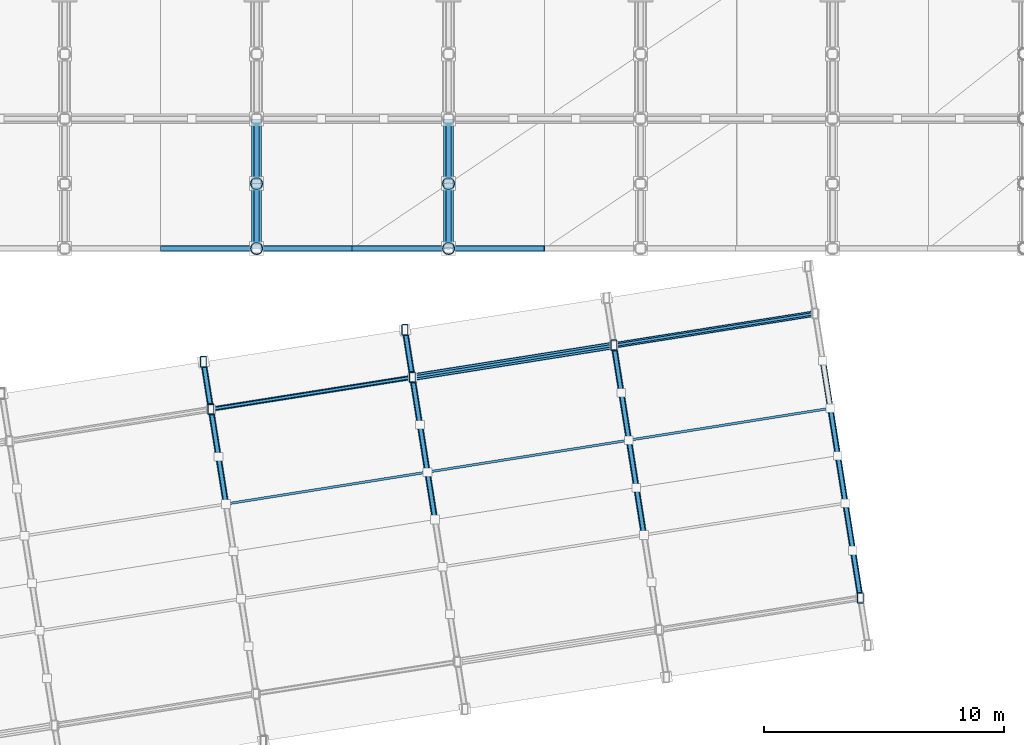
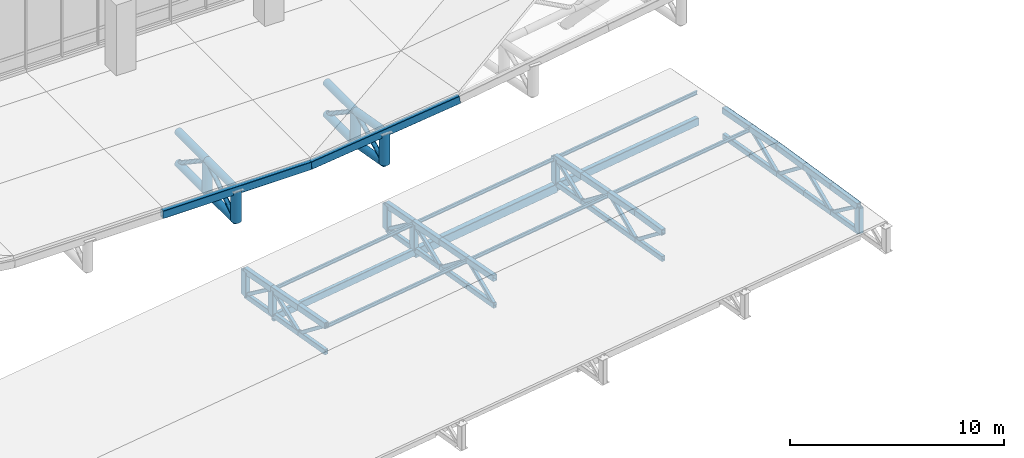
# One storey, part 22 of 137: 75 members, 5 beams.
"""IFC4 building model written with IfcOpenShell, lengths in metres."""

from ifc_helpers import new_model, si_unit, direction, frame, origin, origin_2d, place, context, subcontext, project, spatial, hollow_rectangle, hollow_circle, i_section, extrude, material, material_profile, profile_set, type_object, element, save


model = new_model("IFC4")

# Units and contexts
model_context = context("Model", 3, precision=1e-05, world=origin(), true_north=direction((0.0, 1.0)))
body_context = subcontext(model_context, "Body", "Model", "MODEL_VIEW")
ifc_project = project(units=[si_unit("LENGTHUNIT", "METRE"), si_unit("AREAUNIT", "SQUARE_METRE"), si_unit("VOLUMEUNIT", "CUBIC_METRE"), si_unit("PLANEANGLEUNIT", "RADIAN"), si_unit("MASSUNIT", "GRAM", prefix="KILO")], contexts=[model_context])

# Site, building, storey
site_placement = place(None, origin())
site = spatial("IfcSite", under=ifc_project, at=site_placement, CompositionType="ELEMENT")
building_placement = place(site_placement, origin())
building = spatial("IfcBuilding", under=site, at=building_placement, Name="Khorjan Park Terminus", CompositionType="ELEMENT")
storey_placement = place(building_placement, frame((0.0, 0.0, 11.4)))
storey = spatial("IfcBuildingStorey", under=building, at=storey_placement, Name="L02", CompositionType="ELEMENT", Elevation=11.4)

# Members
ifc_material = material(Name="Steel S355", Category="steel")
ifc_material_profile_1 = material_profile(ifc_material, hollow_rectangle(XDim=0.18, YDim=0.18, WallThickness=0.01, InnerFilletRadius=0.01, OuterFilletRadius=0.02, at=origin_2d()), Name="SHS 180x180x10")
ifc_profile_set_1 = profile_set([ifc_material_profile_1], Name="Steel S355")
member_type_1 = type_object("IfcMemberType", Name="MB-BR-SHS180E", PredefinedType="BRACE", material=ifc_profile_set_1)
member_1_placement = place(storey_placement, frame((94.7253, 4.55, -0.48), z_axis=(-0.124562373336, 0.786347254878, -0.605096859928), x_axis=(-0.987685001707, -0.156455544492, 0.0)))
element("IfcMember", 1, at=member_1_placement, inside=storey, type_object=member_type_1, Name="Arrival canopy flat truss web brace TB-S18 (6)", PredefinedType="BRACE", context=body_context, shape_type="SweptSolid", body=[
    extrude(hollow_rectangle(XDim=0.18, YDim=0.18, WallThickness=0.01, InnerFilletRadius=0.01, OuterFilletRadius=0.02, at=origin_2d()), origin(), (0.0, 0.0, 1.0), 2.512),
])
for number, where, z_axis, x_axis, name in (
    (2, (94.4124, 6.5253, -2.0), (-0.126963381588, 0.801545107028, 0.584299359178), (-0.987686225577, -0.156447818155, 0.0), "Arrival canopy flat truss web brace TB-S18 (6)"),
    (3, (94.0995, 8.5007, -0.56), (-0.126923459014, 0.801549235728, -0.584302368861), (-0.987693950393, -0.156399042059, 0.0), "Arrival canopy flat truss web brace TB-S18 (6)"),
):
    element("IfcMember", number, at=place(storey_placement, frame(where, z_axis=z_axis, x_axis=x_axis)), inside=storey, type_object=member_type_1, Name=name, PredefinedType="BRACE", context=body_context, shape_type="SweptSolid", body=[
        extrude(hollow_rectangle(XDim=0.18, YDim=0.18, WallThickness=0.01, InnerFilletRadius=0.01, OuterFilletRadius=0.02, at=origin_2d()), origin(), (0.0, 0.0, 1.0), 2.4645),
    ])
member_2_placement = place(storey_placement, frame((103.4335, 3.9043, -2.0), z_axis=(-0.124558474158, 0.786362447589, 0.605077918566), x_axis=(-0.987686225577, -0.156447818155, 0.0)))
element("IfcMember", 4, at=member_2_placement, inside=storey, type_object=member_type_1, Name="Arrival canopy flat truss web brace TB-S18 (7)", PredefinedType="BRACE", context=body_context, shape_type="SweptSolid", body=[
    extrude(hollow_rectangle(XDim=0.18, YDim=0.18, WallThickness=0.01, InnerFilletRadius=0.01, OuterFilletRadius=0.02, at=origin_2d()), origin(), (0.0, 0.0, 1.0), 2.5121),
])
member_3_placement = place(storey_placement, frame((103.1206, 5.8797, -0.48), z_axis=(-0.124523181709, 0.786351153547, -0.605099859967), x_axis=(-0.987692727277, -0.156406766108, 0.0)))
element("IfcMember", 5, at=member_3_placement, inside=storey, type_object=member_type_1, Name="Arrival canopy flat truss web brace TB-S18 (7)", PredefinedType="BRACE", context=body_context, shape_type="SweptSolid", body=[
    extrude(hollow_rectangle(XDim=0.18, YDim=0.18, WallThickness=0.01, InnerFilletRadius=0.01, OuterFilletRadius=0.02, at=origin_2d()), origin(), (0.0, 0.0, 1.0), 2.512),
])
for number, where, z_axis, x_axis, name in (
    (6, (102.8078, 7.855, -2.0), (-0.126963381588, 0.801545107028, 0.584299359178), (-0.987686225577, -0.156447818155, 0.0), "Arrival canopy flat truss web brace TB-S18 (7)"),
    (7, (102.4949, 9.8304, -0.56), (-0.126963381588, 0.801545107028, -0.584299359178), (-0.987686225577, -0.156447818155, 0.0), "Arrival canopy flat truss web brace TB-S18 (7)"),
):
    element("IfcMember", number, at=place(storey_placement, frame(where, z_axis=z_axis, x_axis=x_axis)), inside=storey, type_object=member_type_1, Name=name, PredefinedType="BRACE", context=body_context, shape_type="SweptSolid", body=[
        extrude(hollow_rectangle(XDim=0.18, YDim=0.18, WallThickness=0.01, InnerFilletRadius=0.01, OuterFilletRadius=0.02, at=origin_2d()), origin(), (0.0, 0.0, 1.0), 2.4645),
    ])
for number, where, z_axis, x_axis, name in (
    (8, (112.1417, 3.2586, -0.48), (-0.124558474158, 0.786362447589, -0.605077918566), (-0.987686225577, -0.156447818155, 0.0), "Arrival canopy flat truss web brace TB-S18 (8)"),
    (9, (111.8288, 5.234, -2.0), (-0.124519283718, 0.78636634609, 0.605080918324), (-0.987693950393, -0.156399042059, 0.0), "Arrival canopy flat truss web brace TB-S18 (8)"),
):
    element("IfcMember", number, at=place(storey_placement, frame(where, z_axis=z_axis, x_axis=x_axis)), inside=storey, type_object=member_type_1, Name=name, PredefinedType="BRACE", context=body_context, shape_type="SweptSolid", body=[
        extrude(hollow_rectangle(XDim=0.18, YDim=0.18, WallThickness=0.01, InnerFilletRadius=0.01, OuterFilletRadius=0.02, at=origin_2d()), origin(), (0.0, 0.0, 1.0), 2.5121),
    ])
member_4_placement = place(storey_placement, frame((111.516, 7.2094, -0.48), z_axis=(-0.124562373336, 0.786347254878, -0.605096859928), x_axis=(-0.987685001707, -0.156455544492, 0.0)))
element("IfcMember", 10, at=member_4_placement, inside=storey, type_object=member_type_1, Name="Arrival canopy flat truss web brace TB-S18 (8)", PredefinedType="BRACE", context=body_context, shape_type="SweptSolid", body=[
    extrude(hollow_rectangle(XDim=0.18, YDim=0.18, WallThickness=0.01, InnerFilletRadius=0.01, OuterFilletRadius=0.02, at=origin_2d()), origin(), (0.0, 0.0, 1.0), 2.512),
])
for number, where, z_axis, x_axis, name in (
    (11, (111.2031, 9.1847, -2.0), (-0.126963381588, 0.801545107028, 0.584299359178), (-0.987686225577, -0.156447818155, 0.0), "Arrival canopy flat truss web brace TB-S18 (8)"),
    (12, (121.1628, 0.6375, -0.56), (-0.126963381588, 0.801545107028, -0.584299359178), (-0.987686225577, -0.156447818155, 0.0), "Arrival canopy flat truss web brace TB-S18 (9)"),
):
    element("IfcMember", number, at=place(storey_placement, frame(where, z_axis=z_axis, x_axis=x_axis)), inside=storey, type_object=member_type_1, Name=name, PredefinedType="BRACE", context=body_context, shape_type="SweptSolid", body=[
        extrude(hollow_rectangle(XDim=0.18, YDim=0.18, WallThickness=0.01, InnerFilletRadius=0.01, OuterFilletRadius=0.02, at=origin_2d()), origin(), (0.0, 0.0, 1.0), 2.4645),
    ])
for number, where, z_axis, x_axis, name in (
    (13, (120.8499, 2.6129, -2.0), (-0.124519283718, 0.78636634609, 0.605080918324), (-0.987693950393, -0.156399042059, 0.0), "Arrival canopy flat truss web brace TB-S18 (9)"),
    (14, (120.5371, 4.5883, -0.48), (-0.124558474158, 0.786362447589, -0.605077918566), (-0.987686225577, -0.156447818155, 0.0), "Arrival canopy flat truss web brace TB-S18 (9)"),
    (15, (120.2242, 6.5637, -2.0), (-0.124558474158, 0.786362447589, 0.605077918566), (-0.987686225577, -0.156447818155, 0.0), "Arrival canopy flat truss web brace TB-S18 (9)"),
):
    element("IfcMember", number, at=place(storey_placement, frame(where, z_axis=z_axis, x_axis=x_axis)), inside=storey, type_object=member_type_1, Name=name, PredefinedType="BRACE", context=body_context, shape_type="SweptSolid", body=[
        extrude(hollow_rectangle(XDim=0.18, YDim=0.18, WallThickness=0.01, InnerFilletRadius=0.01, OuterFilletRadius=0.02, at=origin_2d()), origin(), (0.0, 0.0, 1.0), 2.5121),
    ])
ifc_material_profile_2 = material_profile(ifc_material, hollow_circle(Radius=0.1222, WallThickness=0.0125, at=origin_2d()), Name="CHS 244.5x12.5")
ifc_profile_set_2 = profile_set([ifc_material_profile_2], Name="Steel S355")
member_type_2 = type_object("IfcMemberType", Name="MB-BRE-245", PredefinedType="BRACE", material=ifc_profile_set_2)
for number, where, z_axis, x_axis, name in (
    (16, (96.0, 15.2, -1.408), (0.0, 0.832050294338, 0.554700196225), (-1.0, 0.0, 0.0), "Lower shell cantilever truss diagonal (7S)"),
    (17, (96.0, 17.9, 0.392), (0.0, 0.832050294338, -0.554700196225), (-1.0, 0.0, 0.0), "Lower shell cantilever truss diagonal (7S)"),
):
    element("IfcMember", number, at=place(storey_placement, frame(where, z_axis=z_axis, x_axis=x_axis)), inside=storey, type_object=member_type_2, Name=name, PredefinedType="BRACE", context=body_context, shape_type="SweptSolid", body=[
        extrude(hollow_circle(Radius=0.1222, WallThickness=0.0125, at=origin_2d()), origin(), (0.0, 0.0, 1.0), 3.245),
    ])
member_5_placement = place(storey_placement, frame((104.0, 15.2, -0.9272), z_axis=(0.0, 0.898489379818, 0.438995255502), x_axis=(-1.0, 0.0, 0.0)))
element("IfcMember", 18, at=member_5_placement, inside=storey, type_object=member_type_2, Name="Lower shell cantilever truss diagonal (8S)", PredefinedType="BRACE", context=body_context, shape_type="SweptSolid", body=[
    extrude(hollow_circle(Radius=0.1222, WallThickness=0.0125, at=origin_2d()), origin(), (0.0, 0.0, 1.0), 3.005),
])
member_6_placement = place(storey_placement, frame((104.0, 17.9, 0.392), z_axis=(0.0, 0.832050294338, -0.554700196225), x_axis=(-1.0, 0.0, 0.0)))
element("IfcMember", 19, at=member_6_placement, inside=storey, type_object=member_type_2, Name="Lower shell cantilever truss diagonal (8S)", PredefinedType="BRACE", context=body_context, shape_type="SweptSolid", body=[
    extrude(hollow_circle(Radius=0.1222, WallThickness=0.0125, at=origin_2d()), origin(), (0.0, 0.0, 1.0), 3.245),
])
ifc_material_profile_3 = material_profile(ifc_material, hollow_rectangle(XDim=0.2, YDim=0.3, WallThickness=0.0125, InnerFilletRadius=0.0125, OuterFilletRadius=0.025, at=origin_2d()), Name="RHS 300x200x12.5")
ifc_profile_set_3 = profile_set([ifc_material_profile_3], Name="Steel S355")
member_type_3 = type_object("IfcMemberType", Name="MB-CH-RHS300E", PredefinedType="CHORD", material=ifc_profile_set_3)
member_7_placement = place(storey_placement, frame((94.7253, 4.55, -2.0), z_axis=(-0.156455544492, 0.987685001707, 0.0), x_axis=(-0.987685001707, -0.156455544492, 0.0)))
element("IfcMember", 20, at=member_7_placement, inside=storey, type_object=member_type_3, Name="Arrival canopy flat truss bottom chord TC-R30 (6)", PredefinedType="CHORD", context=body_context, shape_type="SweptSolid", body=[
    extrude(hollow_rectangle(XDim=0.2, YDim=0.3, WallThickness=0.0125, InnerFilletRadius=0.0125, OuterFilletRadius=0.025, at=origin_2d()), origin(), (0.0, 0.0, 1.0), 1.9999),
])
for number, where, z_axis, x_axis, name in (
    (21, (94.4124, 6.5253, -2.0), (-0.156447818155, 0.987686225577, 0.0), (-0.987686225577, -0.156447818155, 0.0), "Arrival canopy flat truss bottom chord TC-R30 (6)"),
    (22, (94.0995, 8.5007, -2.0), (-0.156399042059, 0.987693950393, 0.0), (-0.987693950393, -0.156399042059, 0.0), "Arrival canopy flat truss bottom chord TC-R30 (6)"),
    (23, (103.4335, 3.9043, -2.0), (-0.156447818155, 0.987686225577, 0.0), (-0.987686225577, -0.156447818155, 0.0), "Arrival canopy flat truss bottom chord TC-R30 (7)"),
):
    element("IfcMember", number, at=place(storey_placement, frame(where, z_axis=z_axis, x_axis=x_axis)), inside=storey, type_object=member_type_3, Name=name, PredefinedType="CHORD", context=body_context, shape_type="SweptSolid", body=[
        extrude(hollow_rectangle(XDim=0.2, YDim=0.3, WallThickness=0.0125, InnerFilletRadius=0.0125, OuterFilletRadius=0.025, at=origin_2d()), origin(), (0.0, 0.0, 1.0), 2.0),
    ])
member_8_placement = place(storey_placement, frame((103.1206, 5.8797, -2.0), z_axis=(-0.156406766108, 0.987692727277, 0.0), x_axis=(-0.987692727277, -0.156406766108, 0.0)))
element("IfcMember", 24, at=member_8_placement, inside=storey, type_object=member_type_3, Name="Arrival canopy flat truss bottom chord TC-R30 (7)", PredefinedType="CHORD", context=body_context, shape_type="SweptSolid", body=[
    extrude(hollow_rectangle(XDim=0.2, YDim=0.3, WallThickness=0.0125, InnerFilletRadius=0.0125, OuterFilletRadius=0.025, at=origin_2d()), origin(), (0.0, 0.0, 1.0), 1.9999),
])
for number, where, z_axis, x_axis, name in (
    (25, (102.8078, 7.855, -2.0), (-0.156447818155, 0.987686225577, 0.0), (-0.987686225577, -0.156447818155, 0.0), "Arrival canopy flat truss bottom chord TC-R30 (7)"),
    (26, (102.4949, 9.8304, -2.0), (-0.156447818155, 0.987686225577, 0.0), (-0.987686225577, -0.156447818155, 0.0), "Arrival canopy flat truss bottom chord TC-R30 (7)"),
    (27, (112.1417, 3.2586, -2.0), (-0.156447818155, 0.987686225577, 0.0), (-0.987686225577, -0.156447818155, 0.0), "Arrival canopy flat truss bottom chord TC-R30 (8)"),
    (28, (111.8288, 5.234, -2.0), (-0.156399042059, 0.987693950393, 0.0), (-0.987693950393, -0.156399042059, 0.0), "Arrival canopy flat truss bottom chord TC-R30 (8)"),
):
    element("IfcMember", number, at=place(storey_placement, frame(where, z_axis=z_axis, x_axis=x_axis)), inside=storey, type_object=member_type_3, Name=name, PredefinedType="CHORD", context=body_context, shape_type="SweptSolid", body=[
        extrude(hollow_rectangle(XDim=0.2, YDim=0.3, WallThickness=0.0125, InnerFilletRadius=0.0125, OuterFilletRadius=0.025, at=origin_2d()), origin(), (0.0, 0.0, 1.0), 2.0),
    ])
member_9_placement = place(storey_placement, frame((111.516, 7.2094, -2.0), z_axis=(-0.156455544492, 0.987685001707, 0.0), x_axis=(-0.987685001707, -0.156455544492, 0.0)))
element("IfcMember", 29, at=member_9_placement, inside=storey, type_object=member_type_3, Name="Arrival canopy flat truss bottom chord TC-R30 (8)", PredefinedType="CHORD", context=body_context, shape_type="SweptSolid", body=[
    extrude(hollow_rectangle(XDim=0.2, YDim=0.3, WallThickness=0.0125, InnerFilletRadius=0.0125, OuterFilletRadius=0.025, at=origin_2d()), origin(), (0.0, 0.0, 1.0), 1.9999),
])
for number, where, z_axis, x_axis, name in (
    (30, (111.2031, 9.1847, -2.0), (-0.156447818155, 0.987686225577, 0.0), (-0.987686225577, -0.156447818155, 0.0), "Arrival canopy flat truss bottom chord TC-R30 (8)"),
    (31, (121.1628, 0.6375, -2.0), (-0.156447818155, 0.987686225577, 0.0), (-0.987686225577, -0.156447818155, 0.0), "Arrival canopy flat truss bottom chord TC-R30 (9)"),
    (32, (120.8499, 2.6129, -2.0), (-0.156399042059, 0.987693950393, 0.0), (-0.987693950393, -0.156399042059, 0.0), "Arrival canopy flat truss bottom chord TC-R30 (9)"),
    (33, (120.5371, 4.5883, -2.0), (-0.156447818155, 0.987686225577, 0.0), (-0.987686225577, -0.156447818155, 0.0), "Arrival canopy flat truss bottom chord TC-R30 (9)"),
    (34, (120.2242, 6.5637, -2.0), (-0.156447818155, 0.987686225577, 0.0), (-0.987686225577, -0.156447818155, 0.0), "Arrival canopy flat truss bottom chord TC-R30 (9)"),
):
    element("IfcMember", number, at=place(storey_placement, frame(where, z_axis=z_axis, x_axis=x_axis)), inside=storey, type_object=member_type_3, Name=name, PredefinedType="CHORD", context=body_context, shape_type="SweptSolid", body=[
        extrude(hollow_rectangle(XDim=0.2, YDim=0.3, WallThickness=0.0125, InnerFilletRadius=0.0125, OuterFilletRadius=0.025, at=origin_2d()), origin(), (0.0, 0.0, 1.0), 2.0),
    ])
member_10_placement = place(storey_placement, frame((119.9113, 8.5391, -2.0), z_axis=(-0.156406766108, 0.987692727277, 0.0), x_axis=(-0.987692727277, -0.156406766108, 0.0)))
element("IfcMember", 35, at=member_10_placement, inside=storey, type_object=member_type_3, Name="Arrival canopy flat truss bottom chord TC-R30 (9)", PredefinedType="CHORD", context=body_context, shape_type="SweptSolid", body=[
    extrude(hollow_rectangle(XDim=0.2, YDim=0.3, WallThickness=0.0125, InnerFilletRadius=0.0125, OuterFilletRadius=0.025, at=origin_2d()), origin(), (0.0, 0.0, 1.0), 1.9999),
])
ifc_material_profile_4 = material_profile(ifc_material, hollow_rectangle(XDim=0.25, YDim=0.35, WallThickness=0.0125, InnerFilletRadius=0.0125, OuterFilletRadius=0.025, at=origin_2d()), Name="RHS 350x250x12.5")
ifc_profile_set_4 = profile_set([ifc_material_profile_4], Name="Steel S355")
member_type_4 = type_object("IfcMemberType", Name="MB-CH-RHS350E", PredefinedType="CHORD", material=ifc_profile_set_4)
member_11_placement = place(storey_placement, frame((94.7253, 4.55, -0.48), z_axis=(-0.15642426055, 0.987487509955, -0.019996709562), x_axis=(-0.987685001707, -0.156455544492, 0.0)))
element("IfcMember", 36, at=member_11_placement, inside=storey, type_object=member_type_4, Name="Arrival canopy flat truss top chord TC-R35 (6)", PredefinedType="CHORD", context=body_context, shape_type="SweptSolid", body=[
    extrude(hollow_rectangle(XDim=0.25, YDim=0.35, WallThickness=0.0125, InnerFilletRadius=0.0125, OuterFilletRadius=0.025, at=origin_2d()), origin(), (0.0, 0.0, 1.0), 2.0003),
])
for number, where, z_axis, x_axis, name in (
    (37, (94.4124, 6.5253, -0.52), (-0.156416538847, 0.98748875308, -0.019995722448), (-0.987686225577, -0.156447818155, 0.0), "Arrival canopy flat truss top chord TC-R35 (6)"),
    (38, (94.0995, 8.5007, -0.56), (-0.156367772014, 0.987496473263, -0.019995878774), (-0.987693950393, -0.156399042059, 0.0), "Arrival canopy flat truss top chord TC-R35 (6)"),
    (39, (103.4335, 3.9043, -0.44), (-0.156416538847, 0.98748875308, -0.019995722448), (-0.987686225577, -0.156447818155, 0.0), "Arrival canopy flat truss top chord TC-R35 (7)"),
):
    element("IfcMember", number, at=place(storey_placement, frame(where, z_axis=z_axis, x_axis=x_axis)), inside=storey, type_object=member_type_4, Name=name, PredefinedType="CHORD", context=body_context, shape_type="SweptSolid", body=[
        extrude(hollow_rectangle(XDim=0.25, YDim=0.35, WallThickness=0.0125, InnerFilletRadius=0.0125, OuterFilletRadius=0.025, at=origin_2d()), origin(), (0.0, 0.0, 1.0), 2.0004),
    ])
member_12_placement = place(storey_placement, frame((103.1206, 5.8797, -0.48), z_axis=(-0.156375491431, 0.987495230892, -0.019996865912), x_axis=(-0.987692727277, -0.156406766108, 0.0)))
element("IfcMember", 40, at=member_12_placement, inside=storey, type_object=member_type_4, Name="Arrival canopy flat truss top chord TC-R35 (7)", PredefinedType="CHORD", context=body_context, shape_type="SweptSolid", body=[
    extrude(hollow_rectangle(XDim=0.25, YDim=0.35, WallThickness=0.0125, InnerFilletRadius=0.0125, OuterFilletRadius=0.025, at=origin_2d()), origin(), (0.0, 0.0, 1.0), 2.0003),
])
for number, where, z_axis, x_axis, name in (
    (41, (102.8078, 7.855, -0.52), (-0.156416538847, 0.98748875308, -0.019995722448), (-0.987686225577, -0.156447818155, 0.0), "Arrival canopy flat truss top chord TC-R35 (7)"),
    (42, (102.4949, 9.8304, -0.56), (-0.156416538847, 0.98748875308, -0.019995722448), (-0.987686225577, -0.156447818155, 0.0), "Arrival canopy flat truss top chord TC-R35 (7)"),
    (43, (112.1417, 3.2586, -0.48), (-0.156416538847, 0.98748875308, 0.019995722448), (-0.987686225577, -0.156447818155, 0.0), "Arrival canopy flat truss top chord TC-R35 (8)"),
    (44, (111.8288, 5.234, -0.44), (-0.156367772014, 0.987496473263, -0.019995878774), (-0.987693950393, -0.156399042059, 0.0), "Arrival canopy flat truss top chord TC-R35 (8)"),
):
    element("IfcMember", number, at=place(storey_placement, frame(where, z_axis=z_axis, x_axis=x_axis)), inside=storey, type_object=member_type_4, Name=name, PredefinedType="CHORD", context=body_context, shape_type="SweptSolid", body=[
        extrude(hollow_rectangle(XDim=0.25, YDim=0.35, WallThickness=0.0125, InnerFilletRadius=0.0125, OuterFilletRadius=0.025, at=origin_2d()), origin(), (0.0, 0.0, 1.0), 2.0004),
    ])
member_13_placement = place(storey_placement, frame((111.516, 7.2094, -0.48), z_axis=(-0.15642426055, 0.987487509955, -0.019996709562), x_axis=(-0.987685001707, -0.156455544492, 0.0)))
element("IfcMember", 45, at=member_13_placement, inside=storey, type_object=member_type_4, Name="Arrival canopy flat truss top chord TC-R35 (8)", PredefinedType="CHORD", context=body_context, shape_type="SweptSolid", body=[
    extrude(hollow_rectangle(XDim=0.25, YDim=0.35, WallThickness=0.0125, InnerFilletRadius=0.0125, OuterFilletRadius=0.025, at=origin_2d()), origin(), (0.0, 0.0, 1.0), 2.0003),
])
for number, where, z_axis, x_axis, name in (
    (46, (111.2031, 9.1847, -0.52), (-0.156416538847, 0.98748875308, -0.019995722448), (-0.987686225577, -0.156447818155, 0.0), "Arrival canopy flat truss top chord TC-R35 (8)"),
    (47, (121.1628, 0.6375, -0.56), (-0.156416538847, 0.98748875308, 0.019995722448), (-0.987686225577, -0.156447818155, 0.0), "Arrival canopy flat truss top chord TC-R35 (9)"),
    (48, (120.8499, 2.6129, -0.52), (-0.156367772014, 0.987496473263, 0.019995878774), (-0.987693950393, -0.156399042059, 0.0), "Arrival canopy flat truss top chord TC-R35 (9)"),
    (49, (120.5371, 4.5883, -0.48), (-0.156416538847, 0.98748875308, 0.019995722448), (-0.987686225577, -0.156447818155, 0.0), "Arrival canopy flat truss top chord TC-R35 (9)"),
    (50, (120.2242, 6.5637, -0.44), (-0.156416538847, 0.98748875308, -0.019995722448), (-0.987686225577, -0.156447818155, 0.0), "Arrival canopy flat truss top chord TC-R35 (9)"),
):
    element("IfcMember", number, at=place(storey_placement, frame(where, z_axis=z_axis, x_axis=x_axis)), inside=storey, type_object=member_type_4, Name=name, PredefinedType="CHORD", context=body_context, shape_type="SweptSolid", body=[
        extrude(hollow_rectangle(XDim=0.25, YDim=0.35, WallThickness=0.0125, InnerFilletRadius=0.0125, OuterFilletRadius=0.025, at=origin_2d()), origin(), (0.0, 0.0, 1.0), 2.0004),
    ])
member_14_placement = place(storey_placement, frame((119.9113, 8.5391, -0.48), z_axis=(-0.156375491431, 0.987495230892, -0.019996865912), x_axis=(-0.987692727277, -0.156406766108, 0.0)))
element("IfcMember", 51, at=member_14_placement, inside=storey, type_object=member_type_4, Name="Arrival canopy flat truss top chord TC-R35 (9)", PredefinedType="CHORD", context=body_context, shape_type="SweptSolid", body=[
    extrude(hollow_rectangle(XDim=0.25, YDim=0.35, WallThickness=0.0125, InnerFilletRadius=0.0125, OuterFilletRadius=0.025, at=origin_2d()), origin(), (0.0, 0.0, 1.0), 2.0003),
])
ifc_material_profile_5 = material_profile(ifc_material, hollow_circle(Radius=0.2032, WallThickness=0.016, at=origin_2d()), Name="CHS 406.4x16")
ifc_profile_set_5 = profile_set([ifc_material_profile_5], Name="Steel S355")
member_type_5 = type_object("IfcMemberType", Name="MB-CHE-406", PredefinedType="CHORD", material=ifc_profile_set_5)
for number, where, z_axis, x_axis, name in (
    (52, (96.0, 15.2, 0.392), (0.0, 1.0, 0.0), (-1.0, 0.0, 0.0), "Lower shell cantilever truss top chord (7S)"),
    (53, (96.0, 15.2, -1.408), (0.0, 1.0, 0.0), (-1.0, 0.0, 0.0), "Lower shell cantilever truss bottom chord (7S)"),
    (54, (96.0, 17.9, 0.392), (0.0, 1.0, 0.0), (-1.0, 0.0, 0.0), "Lower shell cantilever truss top chord (7S)"),
    (55, (96.0, 17.9, -1.408), (0.0, 1.0, 0.0), (-1.0, 0.0, 0.0), "Lower shell cantilever truss bottom chord (7S)"),
):
    element("IfcMember", number, at=place(storey_placement, frame(where, z_axis=z_axis, x_axis=x_axis)), inside=storey, type_object=member_type_5, Name=name, PredefinedType="CHORD", context=body_context, shape_type="SweptSolid", body=[
        extrude(hollow_circle(Radius=0.2032, WallThickness=0.016, at=origin_2d()), origin(), (0.0, 0.0, 1.0), 2.7),
    ])
for number, where, z_axis, x_axis, name in (
    (56, (104.0, 15.2, 0.8728), (0.0, 0.98451219689, -0.175316097876), (-1.0, 0.0, 0.0), "Lower shell cantilever truss top chord (8S)"),
    (57, (104.0, 15.2, -0.9272), (0.0, 0.98451219689, -0.175316097876), (-1.0, 0.0, 0.0), "Lower shell cantilever truss bottom chord (8S)"),
):
    element("IfcMember", number, at=place(storey_placement, frame(where, z_axis=z_axis, x_axis=x_axis)), inside=storey, type_object=member_type_5, Name=name, PredefinedType="CHORD", context=body_context, shape_type="SweptSolid", body=[
        extrude(hollow_circle(Radius=0.2032, WallThickness=0.016, at=origin_2d()), origin(), (0.0, 0.0, 1.0), 2.7425),
    ])
for number, where, z_axis, x_axis, name in (
    (58, (104.0, 17.9, 0.392), (0.0, 1.0, 0.0), (-1.0, 0.0, 0.0), "Lower shell cantilever truss top chord (8S)"),
    (59, (104.0, 17.9, -1.408), (0.0, 1.0, 0.0), (-1.0, 0.0, 0.0), "Lower shell cantilever truss bottom chord (8S)"),
):
    element("IfcMember", number, at=place(storey_placement, frame(where, z_axis=z_axis, x_axis=x_axis)), inside=storey, type_object=member_type_5, Name=name, PredefinedType="CHORD", context=body_context, shape_type="SweptSolid", body=[
        extrude(hollow_circle(Radius=0.2032, WallThickness=0.016, at=origin_2d()), origin(), (0.0, 0.0, 1.0), 2.7),
    ])
ifc_material_profile_6 = material_profile(ifc_material, i_section(OverallWidth=0.1, OverallDepth=0.2, WebThickness=0.0056, FlangeThickness=0.0085, FilletRadius=0.012, at=origin_2d()), Name="IPE 200")
ifc_profile_set_6 = profile_set([ifc_material_profile_6], Name="Steel S355")
member_type_6 = type_object("IfcMemberType", Name="MB-PRE-IPE200", PredefinedType="PURLIN", material=ifc_profile_set_6)
for number, where, z_axis, x_axis, name in (
    (60, (94.7253, 4.55, -0.53), (0.987688065964, 0.156436198982, 0.0), (-0.156436198982, 0.987688065964, 0.0), "Arrival canopy roof purlin PRE-20 (6)"),
    (61, (94.0995, 8.5007, -0.61), (0.98768835387, 0.156434381226, 0.0), (-0.156434381226, 0.98768835387, 0.0), "Arrival canopy roof purlin PRE-20 (6)"),
    (62, (103.1206, 5.8797, -0.53), (0.98768835387, 0.156434381226, 0.0), (-0.156434381226, 0.98768835387, 0.0), "Arrival canopy roof purlin PRE-20 (7)"),
    (63, (102.4949, 9.8304, -0.61), (0.987688065964, 0.156436198982, 0.0), (-0.156436198982, 0.987688065964, 0.0), "Arrival canopy roof purlin PRE-20 (7)"),
    (64, (111.516, 7.2094, -0.53), (0.987688065964, 0.156436198982, 0.0), (-0.156436198982, 0.987688065964, 0.0), "Arrival canopy roof purlin PRE-20 (8)"),
    (65, (110.8902, 11.1601, -0.61), (0.98768835387, 0.156434381226, 0.0), (-0.156434381226, 0.98768835387, 0.0), "Arrival canopy roof purlin PRE-20 (8)"),
):
    element("IfcMember", number, at=place(storey_placement, frame(where, z_axis=z_axis, x_axis=x_axis)), inside=storey, type_object=member_type_6, Name=name, PredefinedType="PURLIN", context=body_context, shape_type="SweptSolid", body=[
        extrude(i_section(OverallWidth=0.1, OverallDepth=0.2, WebThickness=0.0056, FlangeThickness=0.0085, FilletRadius=0.012, at=origin_2d()), origin(), (0.0, 0.0, 1.0), 8.5),
    ])
ifc_material_profile_7 = material_profile(ifc_material, hollow_circle(Radius=0.254, WallThickness=0.02, at=origin_2d()), Name="CHS 508x20")
ifc_profile_set_7 = profile_set([ifc_material_profile_7], Name="Steel S355")
member_type_7 = type_object("IfcMemberType", Name="MB-STE-508", PredefinedType="STRUT", material=ifc_profile_set_7)
for number, where, z_axis, x_axis, name in (
    (66, (96.0, 15.2, -1.408), (0.0, 0.0, 1.0), (1.0, 0.0, 0.0), "Lower shell cantilever truss post (7S)"),
    (67, (96.0, 17.9, -1.408), (0.0, 0.0, 1.0), (1.0, 0.0, 0.0), "Lower shell cantilever truss post (7S)"),
    (68, (104.0, 15.2, -0.9272), (0.0, 0.0, 1.0), (1.0, 0.0, 0.0), "Lower shell cantilever truss post (8S)"),
    (69, (104.0, 17.9, -1.408), (0.0, 0.0, 1.0), (1.0, 0.0, 0.0), "Lower shell cantilever truss post (8S)"),
):
    element("IfcMember", number, at=place(storey_placement, frame(where, z_axis=z_axis, x_axis=x_axis)), inside=storey, type_object=member_type_7, Name=name, PredefinedType="STRUT", context=body_context, shape_type="SweptSolid", body=[
        extrude(hollow_circle(Radius=0.254, WallThickness=0.02, at=origin_2d()), origin(), (0.0, 0.0, 1.0), 1.8),
    ])
ifc_material_profile_8 = material_profile(ifc_material, hollow_rectangle(XDim=0.25, YDim=0.45, WallThickness=0.016, InnerFilletRadius=0.016, OuterFilletRadius=0.032, at=origin_2d()), Name="RHS 450x250x16")
ifc_profile_set_8 = profile_set([ifc_material_profile_8], Name="Steel S355")
member_type_8 = type_object("IfcMemberType", Name="MB-STE-RHS250", PredefinedType="STRUT", material=ifc_profile_set_8)
member_15_placement = place(storey_placement, frame((94.0995, 8.5007, -2.0), z_axis=(0.0, 0.0, 1.0), x_axis=(1.0, 0.0, 0.0)))
element("IfcMember", 70, at=member_15_placement, inside=storey, type_object=member_type_8, Name="Arrival canopy truss post STE-R25 (6CN)", PredefinedType="STRUT", context=body_context, shape_type="SweptSolid", body=[
    extrude(hollow_rectangle(XDim=0.25, YDim=0.45, WallThickness=0.016, InnerFilletRadius=0.016, OuterFilletRadius=0.032, at=origin_2d()), origin(), (0.0, 0.0, 1.0), 1.44),
])
member_16_placement = place(storey_placement, frame((93.7867, 10.4761, -2.0), z_axis=(0.0, 0.0, 1.0), x_axis=(1.0, 0.0, 0.0)))
element("IfcMember", 71, at=member_16_placement, inside=storey, type_object=member_type_8, Name="Arrival canopy truss post STE-R25 (6N)", PredefinedType="STRUT", context=body_context, shape_type="SweptSolid", body=[
    extrude(hollow_rectangle(XDim=0.25, YDim=0.45, WallThickness=0.016, InnerFilletRadius=0.016, OuterFilletRadius=0.032, at=origin_2d()), origin(), (0.0, 0.0, 1.0), 1.4),
])
member_17_placement = place(storey_placement, frame((102.4949, 9.8304, -2.0), z_axis=(0.0, 0.0, 1.0), x_axis=(1.0, 0.0, 0.0)))
element("IfcMember", 72, at=member_17_placement, inside=storey, type_object=member_type_8, Name="Arrival canopy truss post STE-R25 (7CN)", PredefinedType="STRUT", context=body_context, shape_type="SweptSolid", body=[
    extrude(hollow_rectangle(XDim=0.25, YDim=0.45, WallThickness=0.016, InnerFilletRadius=0.016, OuterFilletRadius=0.032, at=origin_2d()), origin(), (0.0, 0.0, 1.0), 1.44),
])
member_18_placement = place(storey_placement, frame((102.182, 11.8058, -2.0), z_axis=(0.0, 0.0, 1.0), x_axis=(1.0, 0.0, 0.0)))
element("IfcMember", 73, at=member_18_placement, inside=storey, type_object=member_type_8, Name="Arrival canopy truss post STE-R25 (7N)", PredefinedType="STRUT", context=body_context, shape_type="SweptSolid", body=[
    extrude(hollow_rectangle(XDim=0.25, YDim=0.45, WallThickness=0.016, InnerFilletRadius=0.016, OuterFilletRadius=0.032, at=origin_2d()), origin(), (0.0, 0.0, 1.0), 1.4),
])
for number, where, z_axis, x_axis, name in (
    (74, (110.8902, 11.1601, -2.0), (0.0, 0.0, 1.0), (1.0, 0.0, 0.0), "Arrival canopy truss post STE-R25 (8CN)"),
    (75, (121.1628, 0.6375, -2.0), (0.0, 0.0, 1.0), (1.0, 0.0, 0.0), "Arrival canopy truss post STE-R25 (9CS)"),
):
    element("IfcMember", number, at=place(storey_placement, frame(where, z_axis=z_axis, x_axis=x_axis)), inside=storey, type_object=member_type_8, Name=name, PredefinedType="STRUT", context=body_context, shape_type="SweptSolid", body=[
        extrude(hollow_rectangle(XDim=0.25, YDim=0.45, WallThickness=0.016, InnerFilletRadius=0.016, OuterFilletRadius=0.032, at=origin_2d()), origin(), (0.0, 0.0, 1.0), 1.44),
    ])

# Beams
ifc_material_profile_9 = material_profile(ifc_material, hollow_rectangle(XDim=0.2, YDim=0.4, WallThickness=0.0125, InnerFilletRadius=0.0125, OuterFilletRadius=0.025, at=origin_2d()), Name="RHS 400x200x12.5")
ifc_profile_set_9 = profile_set([ifc_material_profile_9], Name="Steel S355")
beam_type_1 = type_object("IfcBeamType", Name="SP-RHS400", PredefinedType="SPANDREL", material=ifc_profile_set_9)
beam_1_placement = place(storey_placement, frame((94.0995, 8.5007, -2.2), z_axis=(0.98768835387, 0.156434381226, 0.0), x_axis=(-0.156434381226, 0.98768835387, 0.0)))
element("IfcBeam", 76, at=beam_1_placement, inside=storey, type_object=beam_type_1, Name="Arrival canopy tie beam SP-R40 (N6)", PredefinedType="SPANDREL", context=body_context, shape_type="SweptSolid", body=[
    extrude(hollow_rectangle(XDim=0.2, YDim=0.4, WallThickness=0.0125, InnerFilletRadius=0.0125, OuterFilletRadius=0.025, at=origin_2d()), origin(), (0.0, 0.0, 1.0), 8.5),
])
ifc_material_profile_10 = material_profile(ifc_material, hollow_rectangle(XDim=0.25, YDim=0.45, WallThickness=0.016, InnerFilletRadius=0.016, OuterFilletRadius=0.032, at=origin_2d()), Name="RHS 450x250x16")
ifc_profile_set_10 = profile_set([ifc_material_profile_10], Name="Steel S355")
beam_type_2 = type_object("IfcBeamType", Name="SP-RHS450", PredefinedType="SPANDREL", material=ifc_profile_set_10)
beam_2_placement = place(storey_placement, frame((92.0, 15.2, 0.37), z_axis=(1.0, 0.0, 0.0), x_axis=(0.0, 1.0, 0.0)))
element("IfcBeam", 77, at=beam_2_placement, inside=storey, type_object=beam_type_2, Name="Lower wrapping shell upturned edge beam SP-R45 (9)", PredefinedType="SPANDREL", context=body_context, shape_type="SweptSolid", body=[
    extrude(hollow_rectangle(XDim=0.25, YDim=0.45, WallThickness=0.016, InnerFilletRadius=0.016, OuterFilletRadius=0.032, at=origin_2d()), origin(), (0.0, 0.0, 1.0), 8.0),
])
beam_3_placement = place(storey_placement, frame((100.0, 15.2, 0.37), z_axis=(0.992853328969, 0.0, 0.119340970142), x_axis=(0.0, 1.0, 0.0)))
element("IfcBeam", 78, at=beam_3_placement, inside=storey, type_object=beam_type_2, Name="Lower wrapping shell upturned edge beam SP-R45 (10)", PredefinedType="SPANDREL", context=body_context, shape_type="SweptSolid", body=[
    extrude(hollow_rectangle(XDim=0.25, YDim=0.45, WallThickness=0.016, InnerFilletRadius=0.016, OuterFilletRadius=0.032, at=origin_2d()), origin(), (0.0, 0.0, 1.0), 8.0576),
])
beam_4_placement = place(storey_placement, frame((110.8902, 11.1601, -2.225), z_axis=(0.98768835387, 0.156434381226, 0.0), x_axis=(-0.156434381226, 0.98768835387, 0.0)))
element("IfcBeam", 79, at=beam_4_placement, inside=storey, type_object=beam_type_2, Name="Arrival canopy tie beam SP-R45 (N8)", PredefinedType="SPANDREL", context=body_context, shape_type="SweptSolid", body=[
    extrude(hollow_rectangle(XDim=0.25, YDim=0.45, WallThickness=0.016, InnerFilletRadius=0.016, OuterFilletRadius=0.032, at=origin_2d()), origin(), (0.0, 0.0, 1.0), 8.5),
])
ifc_material_profile_11 = material_profile(ifc_material, hollow_rectangle(XDim=0.3, YDim=0.5, WallThickness=0.016, InnerFilletRadius=0.016, OuterFilletRadius=0.032, at=origin_2d()), Name="RHS 500x300x16")
ifc_profile_set_11 = profile_set([ifc_material_profile_11], Name="Steel S355")
beam_type_3 = type_object("IfcBeamType", Name="SP-RHS500", PredefinedType="SPANDREL", material=ifc_profile_set_11)
beam_5_placement = place(storey_placement, frame((102.4949, 9.8304, -2.25), z_axis=(0.987688065964, 0.156436198982, 0.0), x_axis=(-0.156436198982, 0.987688065964, 0.0)))
element("IfcBeam", 80, at=beam_5_placement, inside=storey, type_object=beam_type_3, Name="Arrival canopy tie beam SP-R50 (N7)", PredefinedType="SPANDREL", context=body_context, shape_type="SweptSolid", body=[
    extrude(hollow_rectangle(XDim=0.3, YDim=0.5, WallThickness=0.016, InnerFilletRadius=0.016, OuterFilletRadius=0.032, at=origin_2d()), origin(), (0.0, 0.0, 1.0), 8.5),
])

save(model, "model.ifc")
